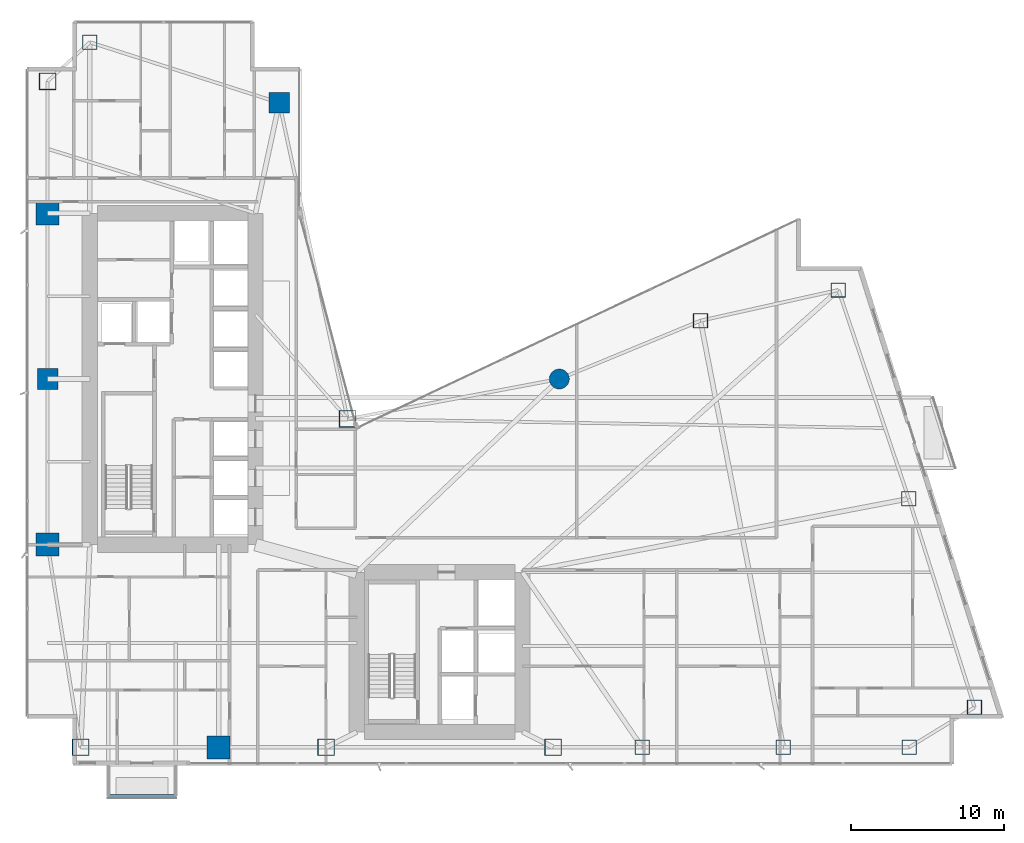
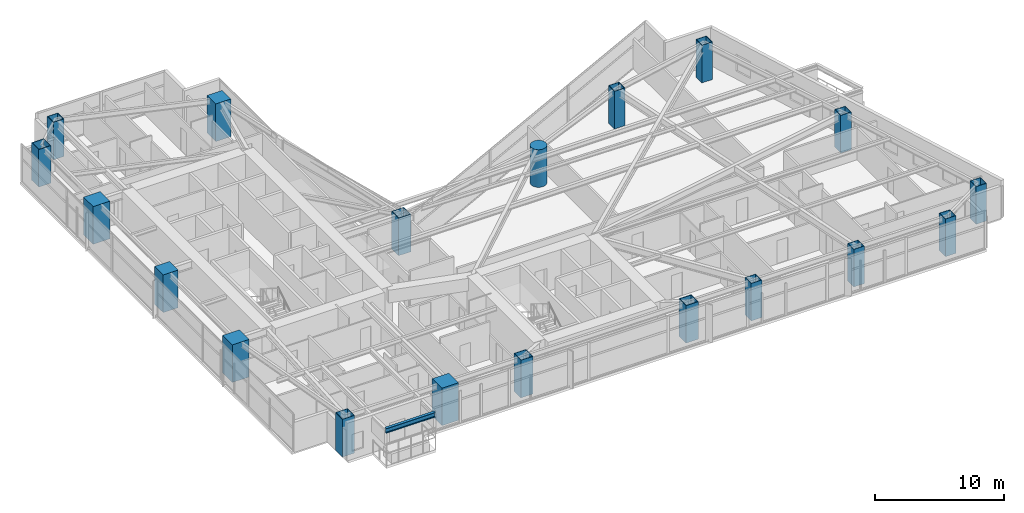
# One storey, part 1 of 29: 19 columns, 1 beam.
"""IFC4 building model written with IfcOpenShell, lengths in metres."""

from ifc_helpers import new_model, si_unit, direction, frame, origin, origin_2d, place, context, subcontext, project, spatial, rectangle, hollow_rectangle, circle, i_section, extrude, material, material_profile, profile_set, type_object, element, save


model = new_model("IFC4")

# Units and contexts
model_context = context("Model", 3, precision=1e-05, world=origin(), true_north=direction((0.0, 1.0)))
body_context = subcontext(model_context, "Body", "Model", "MODEL_VIEW")
ifc_project = project(units=[si_unit("LENGTHUNIT", "METRE"), si_unit("AREAUNIT", "SQUARE_METRE"), si_unit("VOLUMEUNIT", "CUBIC_METRE"), si_unit("PLANEANGLEUNIT", "RADIAN"), si_unit("MASSUNIT", "GRAM", prefix="KILO")], contexts=[model_context])

# Site, building, storey
site_placement = place(None, origin())
site = spatial("IfcSite", under=ifc_project, at=site_placement, CompositionType="ELEMENT")
building_placement = place(site_placement, origin())
building = spatial("IfcBuilding", under=site, at=building_placement, Name="Calvorn Quay Hotel", CompositionType="ELEMENT")
storey_placement = place(building_placement, frame((0.0, 0.0, 66.0)))
storey = spatial("IfcBuildingStorey", under=building, at=storey_placement, Name="L15", CompositionType="ELEMENT", Elevation=66.0)

# Columns
ifc_material_1 = material(Name="Concrete C60", Category="concrete")
ifc_material_profile_1 = material_profile(ifc_material_1, rectangle(XDim=1.35009765625, YDim=1.35009765625, at=origin_2d()), Name="RC1350x1350")
ifc_profile_set_1 = profile_set([ifc_material_profile_1], Name="Concrete C60")
column_type_1 = type_object("IfcColumnType", Name="COL-RC-1350", PredefinedType="COLUMN", material=ifc_profile_set_1)
for number, where, z_axis, x_axis, name in (
    (1, (1.449951171875, 27.60009765625, 0.0), (0.0, 0.0, 1.0), (1.0, 0.0, 0.0), "Column C-W3 (L15)"),
    (2, (16.550048828125, 45.60009765625, 0.0), (0.0, 0.0, 1.0), (1.0, 0.0, 0.0), "Column C-IC1 (L15)"),
):
    element("IfcColumn", number, at=place(storey_placement, frame(where, z_axis=z_axis, x_axis=x_axis)), inside=storey, type_object=column_type_1, Name=name, PredefinedType="COLUMN", context=body_context, shape_type="SweptSolid", body=[
        extrude(rectangle(XDim=1.35009765625, YDim=1.35009765625, at=origin_2d()), origin(), (0.0, 0.0, 1.0), 3.56005859375),
    ])
ifc_material_2 = material(Name="Concrete C60", Category="concrete")
ifc_material_profile_2 = material_profile(ifc_material_2, rectangle(XDim=1.5, YDim=1.5, at=origin_2d()), Name="RC1500x1500")
ifc_profile_set_2 = profile_set([ifc_material_profile_2], Name="Concrete C60")
column_type_2 = type_object("IfcColumnType", Name="COL-RC-1500", PredefinedType="COLUMN", material=ifc_profile_set_2)
for number, where, z_axis, x_axis, name in (
    (3, (1.449951171875, 16.800048828125, 0.0), (0.0, 0.0, 1.0), (1.0, 0.0, 0.0), "Column C-W2 (L15)"),
    (4, (1.449951171875, 38.39990234375, 0.0), (0.0, 0.0, 1.0), (1.0, 0.0, 0.0), "Column C-W4 (L15)"),
    (5, (12.60009765625, 3.60009765625, 0.0), (0.0, 0.0, 1.0), (1.0, 0.0, 0.0), "Column C-S1 (L15)"),
):
    element("IfcColumn", number, at=place(storey_placement, frame(where, z_axis=z_axis, x_axis=x_axis)), inside=storey, type_object=column_type_2, Name=name, PredefinedType="COLUMN", context=body_context, shape_type="SweptSolid", body=[
        extrude(rectangle(XDim=1.5, YDim=1.5, at=origin_2d()), origin(), (0.0, 0.0, 1.0), 3.56005859375),
    ])
ifc_material_3 = material(Name="Concrete C60", Category="concrete")
ifc_material_profile_3 = material_profile(ifc_material_3, circle(Radius=0.64990234375, at=origin_2d()), Name="RCD1300")
ifc_profile_set_3 = profile_set([ifc_material_profile_3], Name="Concrete C60")
column_type_3 = type_object("IfcColumnType", Name="COL-RC-D1300", PredefinedType="COLUMN", material=ifc_profile_set_3)
column_placement = place(storey_placement, frame((34.800048828125, 27.60009765625, 0.0), z_axis=(0.0, 0.0, 1.0), x_axis=(1.0, 0.0, 0.0)))
element("IfcColumn", 6, at=column_placement, inside=storey, type_object=column_type_3, Name="Column C-NC1 (L15)", PredefinedType="COLUMN", context=body_context, shape_type="SweptSolid", body=[
    extrude(circle(Radius=0.64990234375, at=origin_2d()), origin(), (0.0, 0.0, 1.0), 3.56005859375),
])
ifc_material_4 = material(Name="Steel Q420GJC", Category="steel")
ifc_material_profile_4 = material_profile(ifc_material_4, hollow_rectangle(XDim=1.10009765625, YDim=1.10009765625, WallThickness=0.044921875, at=origin_2d()), Name="BOX1100x1100x45")
ifc_profile_set_4 = profile_set([ifc_material_profile_4], Name="Steel Q420GJC")
column_type_4 = type_object("IfcColumnType", Name="COL-STL-MEGA1", PredefinedType="COLUMN", material=ifc_profile_set_4)
for number, where, z_axis, x_axis, name in (
    (7, (3.60009765625, 3.60009765625, 0.0), (0.0, 0.0, 1.0), (1.0, 0.0, 0.0), "Column C-W1 (L15)"),
    (8, (1.449951171875, 47.0, 0.0), (0.0, 0.0, 1.0), (1.0, 0.0, 0.0), "Column C-W5 (L15)"),
    (9, (21.0, 25.0, 0.0), (0.0, 0.0, 1.0), (1.0, 0.0, 0.0), "Column C-IC2 (L15)"),
    (10, (19.60009765625, 3.60009765625, 0.0), (0.0, 0.0, 1.0), (1.0, 0.0, 0.0), "Column C-S2 (L15)"),
    (11, (34.39990234375, 3.60009765625, 0.0), (0.0, 0.0, 1.0), (1.0, 0.0, 0.0), "Column C-S3 (L15)"),
):
    element("IfcColumn", number, at=place(storey_placement, frame(where, z_axis=z_axis, x_axis=x_axis)), inside=storey, type_object=column_type_4, Name=name, PredefinedType="COLUMN", context=body_context, shape_type="SweptSolid", body=[
        extrude(hollow_rectangle(XDim=1.10009765625, YDim=1.10009765625, WallThickness=0.044921875, at=origin_2d()), origin(), (0.0, 0.0, 1.0), 3.56005859375),
    ])
ifc_material_5 = material(Name="Steel Q420GJC", Category="steel")
ifc_material_profile_5 = material_profile(ifc_material_5, hollow_rectangle(XDim=0.949951171875, YDim=0.949951171875, WallThickness=0.0400390625, at=origin_2d()), Name="BOX950x950x40")
ifc_profile_set_5 = profile_set([ifc_material_profile_5], Name="Steel Q420GJC")
column_type_5 = type_object("IfcColumnType", Name="COL-STL-MEGA2", PredefinedType="COLUMN", material=ifc_profile_set_5)
for number, where, z_axis, x_axis, name in (
    (12, (4.199951171875, 49.550048828125, 0.0), (0.0, 0.0, 1.0), (1.0, 0.0, 0.0), "Column C-NW1 (L15)"),
    (13, (40.199951171875, 3.60009765625, 0.0), (0.0, 0.0, 1.0), (1.0, 0.0, 0.0), "Column C-S4 (L15)"),
    (14, (49.39990234375, 3.60009765625, 0.0), (0.0, 0.0, 1.0), (1.0, 0.0, 0.0), "Column C-S5 (L15)"),
    (15, (57.60009765625, 3.60009765625, 0.0), (0.0, 0.0, 1.0), (1.0, 0.0, 0.0), "Column C-S6 (L15)"),
    (16, (44.0, 31.39990234375, 0.0), (0.0, 0.0, 1.0), (1.0, 0.0, 0.0), "Column C-NC2 (L15)"),
    (17, (61.861083984375, 6.199951171875, 0.0), (0.0, 0.0, 1.0), (1.0, 0.0, 0.0), "Column C-ET1 (L15)"),
    (18, (57.575927734375, 19.800048828125, 0.0), (0.0, 0.0, 1.0), (1.0, 0.0, 0.0), "Column C-ET2 (L15)"),
    (19, (52.990966796875, 33.39990234375, 0.0), (0.0, 0.0, 1.0), (1.0, 0.0, 0.0), "Column C-ET3 (L15)"),
):
    element("IfcColumn", number, at=place(storey_placement, frame(where, z_axis=z_axis, x_axis=x_axis)), inside=storey, type_object=column_type_5, Name=name, PredefinedType="COLUMN", context=body_context, shape_type="SweptSolid", body=[
        extrude(hollow_rectangle(XDim=0.949951171875, YDim=0.949951171875, WallThickness=0.0400390625, at=origin_2d()), origin(), (0.0, 0.0, 1.0), 3.56005859375),
    ])

# Beam
ifc_material_6 = material(Name="Steel Q355B", Category="steel")
ifc_material_profile_6 = material_profile(ifc_material_6, i_section(OverallWidth=0.25, OverallDepth=0.449951171875, WebThickness=0.011962890625, FlangeThickness=0.01611328125, FilletRadius=0.01611328125, at=origin_2d()), Name="HN450x250x12x16")
ifc_profile_set_6 = profile_set([ifc_material_profile_6], Name="Steel Q355B")
beam_type = type_object("IfcBeamType", Name="BM-CANT-BALC", PredefinedType="BEAM", material=ifc_profile_set_6)
beam_placement = place(storey_placement, frame((5.39990234375, 0.409912109375, 3.31494140625), z_axis=(1.0, 0.0, 0.0), x_axis=(0.0, 1.0, 0.0)))
element("IfcBeam", 20, at=beam_placement, inside=storey, type_object=beam_type, Name="Beam BCBO-L16-2", PredefinedType="BEAM", context=body_context, shape_type="SweptSolid", body=[
    extrude(i_section(OverallWidth=0.25, OverallDepth=0.449951171875, WebThickness=0.011962890625, FlangeThickness=0.01611328125, FilletRadius=0.01611328125, at=origin_2d()), origin(), (0.0, 0.0, 1.0), 4.400146484375),
])

save(model, "model.ifc")
